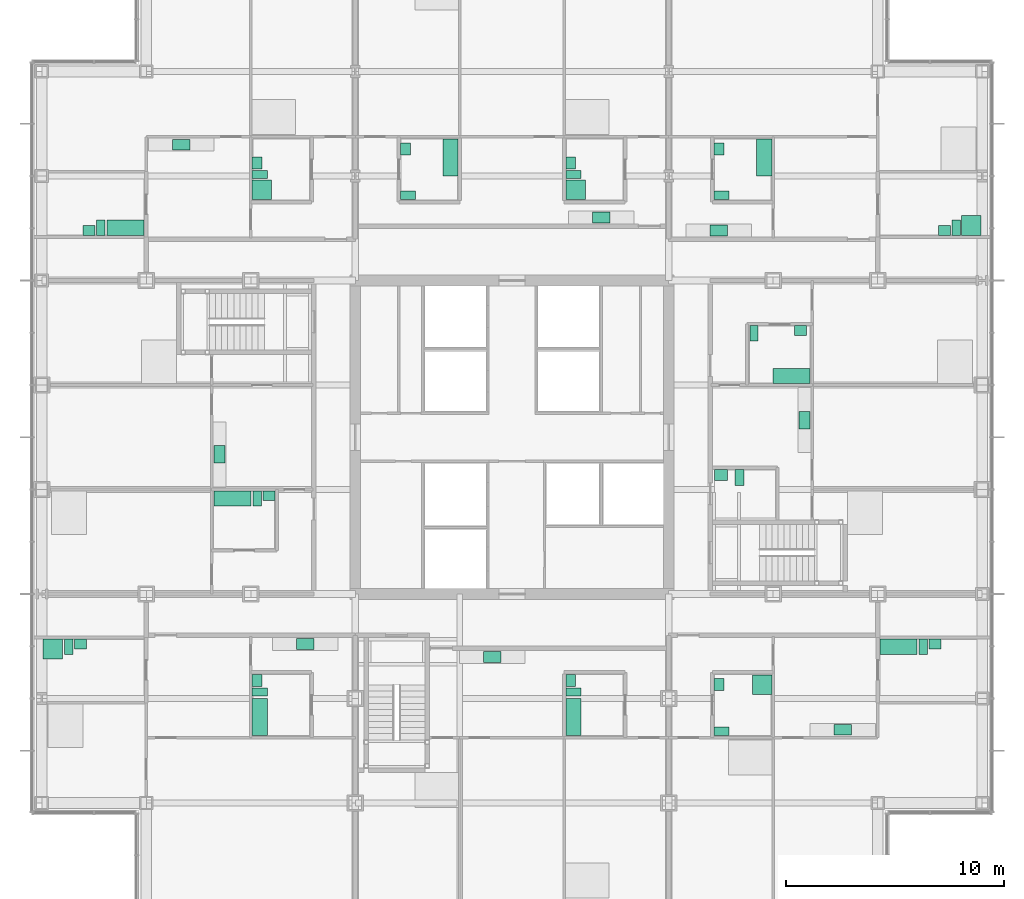
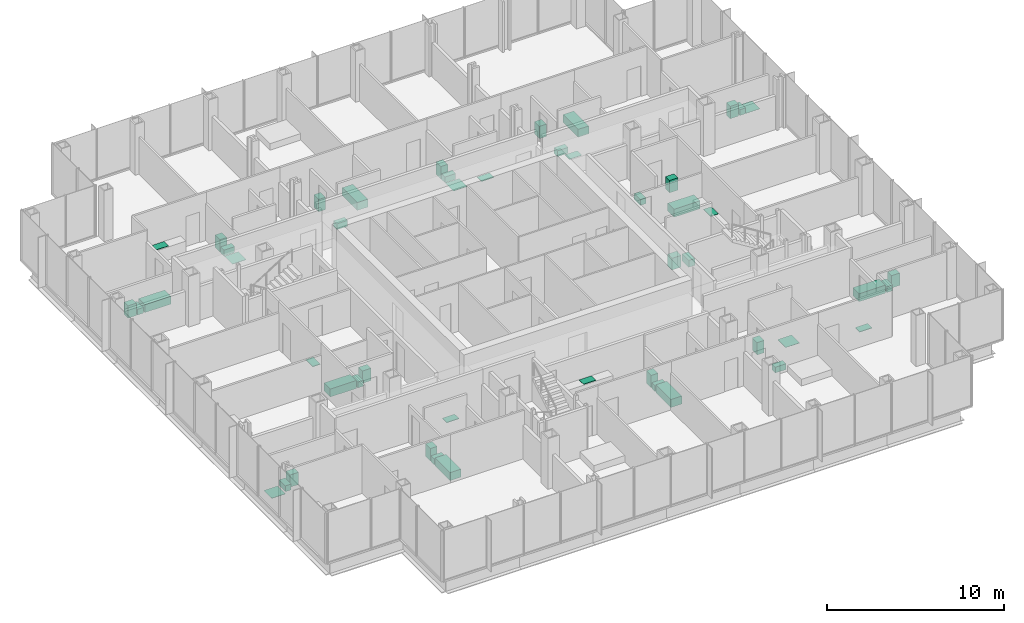
# One storey, part 20 of 21: 49 sanitary terminals.
"""IFC4 building model written with IfcOpenShell, lengths in metres."""

from ifc_helpers import new_model, si_unit, direction, frame, origin, origin_2d, place, context, subcontext, project, spatial, rectangle, extrude, material, type_object, element, save


model = new_model("IFC4")

# Units and contexts
model_context = context("Model", 3, precision=1e-05, world=origin(), true_north=direction((0.0, 1.0)))
body_context = subcontext(model_context, "Body", "Model", "MODEL_VIEW")
ifc_project = project(units=[si_unit("LENGTHUNIT", "METRE"), si_unit("AREAUNIT", "SQUARE_METRE"), si_unit("VOLUMEUNIT", "CUBIC_METRE"), si_unit("PLANEANGLEUNIT", "RADIAN"), si_unit("MASSUNIT", "GRAM", prefix="KILO")], contexts=[model_context])

# Site, building, storey
site_placement = place(None, origin())
site = spatial("IfcSite", under=ifc_project, at=site_placement, CompositionType="ELEMENT")
building_placement = place(site_placement, origin())
building = spatial("IfcBuilding", under=site, at=building_placement, Name="Kvirike Care Tower", CompositionType="ELEMENT")
storey_placement = place(building_placement, frame((0.0, 0.0, 58.5)))
storey = spatial("IfcBuildingStorey", under=building, at=storey_placement, Name="L15", CompositionType="ELEMENT", Elevation=58.5)

# Sanitary terminals
ifc_material_1 = material(Name="Vitreous china", Category="ceramic")
sanitary_terminal_type_1 = type_object("IfcSanitaryTerminalType", Name="ACCESSIBLE WASH BASIN 600 x 500", PredefinedType="WASHHANDBASIN", material=ifc_material_1)
sanitary_terminal_1_placement = place(storey_placement, frame((31.199951171875, 34.27294921875, 0.02001953125), z_axis=(0.0, 0.0, 1.0), x_axis=(1.0, 0.0, 0.0)))
element("IfcSanitaryTerminal", 1, at=sanitary_terminal_1_placement, inside=storey, type_object=sanitary_terminal_type_1, Name="Accessible wash basin L15-050", PredefinedType="WASHHANDBASIN", context=body_context, shape_type="SweptSolid", body=[
    extrude(rectangle(XDim=0.60009765625, YDim=0.5, at=origin_2d()), origin(), (0.0, 0.0, 1.0), 0.800048828125),
])
ifc_material_2 = material(Name="Vitreous china", Category="ceramic")
sanitary_terminal_type_2 = type_object("IfcSanitaryTerminalType", Name="ACCESSIBLE WC PAN 400 x 750", PredefinedType="TOILETPAN", material=ifc_material_2)
sanitary_terminal_2_placement = place(storey_placement, frame((32.050048828125, 34.14794921875, 0.02001953125), z_axis=(0.0, 0.0, 1.0), x_axis=(1.0, 0.0, 0.0)))
element("IfcSanitaryTerminal", 2, at=sanitary_terminal_2_placement, inside=storey, type_object=sanitary_terminal_type_2, Name="Accessible WC pan L15-050", PredefinedType="TOILETPAN", context=body_context, shape_type="SweptSolid", body=[
    extrude(rectangle(XDim=0.39990234375, YDim=0.75, at=origin_2d()), origin(), (0.0, 0.0, 1.0), 0.47998046875),
])
ifc_material_3 = material(Name="Enamelled steel", Category="steel")
sanitary_terminal_type_3 = type_object("IfcSanitaryTerminalType", Name="BATH 1700 x 700", PredefinedType="BATH", material=ifc_material_3)
for number, where, z_axis, x_axis, name in (
    (3, (10.011962890625, 23.159912109375, 0.02001953125), (0.0, 0.0, 1.0), (0.0, 1.0, 0.0), "Bath L15-005"),
    (4, (8.760009765625, 33.18798828125, 0.02001953125), (0.0, 0.0, 1.0), (1.0, 0.0, 0.0), "Bath L15-013"),
    (5, (3.85009765625, 45.626953125, 0.02001953125), (0.0, 0.0, 1.0), (-1.0, 0.0, 0.0), "Bath L15-021"),
    (6, (24.427001953125, 23.159912109375, 0.02001953125), (0.0, 0.0, 1.0), (0.0, 1.0, 0.0), "Bath L15-029"),
    (7, (18.77294921875, 48.840087890625, 0.02001953125), (0.0, 0.0, 1.0), (0.0, -1.0, 0.0), "Bath L15-036"),
    (8, (39.35009765625, 26.373046875, 0.02001953125), (0.0, 0.0, 1.0), (1.0, 0.0, 0.0), "Bath L15-042"),
    (9, (34.43994140625, 38.81201171875, 0.02001953125), (0.0, 0.0, 1.0), (-1.0, 0.0, 0.0), "Bath L15-051"),
    (10, (33.18798828125, 48.840087890625, 0.02001953125), (0.0, 0.0, 1.0), (0.0, -1.0, 0.0), "Bath L15-058"),
):
    element("IfcSanitaryTerminal", number, at=place(storey_placement, frame(where, z_axis=z_axis, x_axis=x_axis)), inside=storey, type_object=sanitary_terminal_type_3, Name=name, PredefinedType="BATH", context=body_context, shape_type="SweptSolid", body=[
        extrude(rectangle(XDim=1.699951171875, YDim=0.699951171875, at=origin_2d()), origin(), (0.0, 0.0, 1.0), 0.550048828125),
    ])
ifc_material_4 = material(Name="Stainless steel", Category="steel")
sanitary_terminal_type_4 = type_object("IfcSanitaryTerminalType", Name="KITCHEN SINK 800 x 500", PredefinedType="SINK", material=ifc_material_4)
for number, where, z_axis, x_axis, name in (
    (11, (12.110107421875, 26.498046875, 0.89990234375), (0.0, 0.0, 1.0), (1.0, 0.0, 0.0), "Kitchen sink L15-007"),
    (12, (8.162109375, 35.2099609375, 0.89990234375), (0.0, 0.0, 1.0), (0.0, 1.0, 0.0), "Kitchen sink L15-015"),
    (13, (6.409912109375, 49.43798828125, 0.89990234375), (0.0, 0.0, 1.0), (1.0, 0.0, 0.0), "Kitchen sink L15-023"),
    (14, (20.699951171875, 25.89794921875, 0.89990234375), (0.0, 0.0, 1.0), (1.0, 0.0, 0.0), "Kitchen sink L15-030"),
    (15, (25.699951171875, 46.10205078125, 0.89990234375), (0.0, 0.0, 1.0), (-1.0, 0.0, 0.0), "Kitchen sink L15-037"),
    (16, (36.7900390625, 22.56201171875, 0.89990234375), (0.0, 0.0, 1.0), (-1.0, 0.0, 0.0), "Kitchen sink L15-044"),
    (17, (35.0380859375, 36.7900390625, 0.89990234375), (0.0, 0.0, 1.0), (0.0, -1.0, 0.0), "Kitchen sink L15-052"),
    (18, (31.090087890625, 45.501953125, 0.89990234375), (0.0, 0.0, 1.0), (-1.0, 0.0, 0.0), "Kitchen sink L15-060"),
):
    element("IfcSanitaryTerminal", number, at=place(storey_placement, frame(where, z_axis=z_axis, x_axis=x_axis)), inside=storey, type_object=sanitary_terminal_type_4, Name=name, PredefinedType="SINK", context=body_context, shape_type="SweptSolid", body=[
        extrude(rectangle(XDim=0.800048828125, YDim=0.5, at=origin_2d()), origin(), (0.0, 0.0, 1.0), 0.030029296875),
    ])
ifc_material_5 = material(Name="Stainless steel", Category="steel")
sanitary_terminal_type_5 = type_object("IfcSanitaryTerminalType", Name="LEVEL-ACCESS SHOWER 900 x 900", PredefinedType="SHOWER", material=ifc_material_5)
for number, where, z_axis, x_axis, name in (
    (19, (0.5, 26.27294921875, 0.02001953125), (0.0, 0.0, 1.0), (1.0, 0.0, 0.0), "Level-access shower L15-004"),
    (20, (10.112060546875, 47.375, 0.02001953125), (0.0, 0.0, 1.0), (0.0, 1.0, 0.0), "Level-access shower L15-020"),
    (21, (24.527099609375, 47.375, 0.02001953125), (0.0, 0.0, 1.0), (0.0, 1.0, 0.0), "Level-access shower L15-035"),
    (22, (33.087890625, 24.625, 0.02001953125), (0.0, 0.0, 1.0), (0.0, -1.0, 0.0), "Level-access shower L15-041"),
    (23, (42.699951171875, 45.72705078125, 0.02001953125), (0.0, 0.0, 1.0), (-1.0, 0.0, 0.0), "Level-access shower L15-057"),
):
    element("IfcSanitaryTerminal", number, at=place(storey_placement, frame(where, z_axis=z_axis, x_axis=x_axis)), inside=storey, type_object=sanitary_terminal_type_5, Name=name, PredefinedType="SHOWER", context=body_context, shape_type="SweptSolid", body=[
        extrude(rectangle(XDim=0.89990234375, YDim=0.89990234375, at=origin_2d()), origin(), (0.0, 0.0, 1.0), 0.02001953125),
    ])
ifc_material_6 = material(Name="Vitreous china", Category="ceramic")
sanitary_terminal_type_6 = type_object("IfcSanitaryTerminalType", Name="WASH BASIN 550 x 450", PredefinedType="WASHHANDBASIN", material=ifc_material_6)
for number, where, z_axis, x_axis, name in (
    (24, (1.77490234375, 26.498046875, 0.02001953125), (0.0, 0.0, 1.0), (1.0, 0.0, 0.0), "Wash basin L15-004"),
    (25, (9.886962890625, 24.8349609375, 0.02001953125), (0.0, 0.0, 1.0), (0.0, 1.0, 0.0), "Wash basin L15-005"),
    (26, (10.43505859375, 33.31298828125, 0.02001953125), (0.0, 0.0, 1.0), (1.0, 0.0, 0.0), "Wash basin L15-013"),
    (27, (9.886962890625, 48.60009765625, 0.02001953125), (0.0, 0.0, 1.0), (0.0, 1.0, 0.0), "Wash basin L15-020"),
    (28, (2.175048828125, 45.501953125, 0.02001953125), (0.0, 0.0, 1.0), (-1.0, 0.0, 0.0), "Wash basin L15-021"),
    (29, (24.302001953125, 24.8349609375, 0.02001953125), (0.0, 0.0, 1.0), (0.0, 1.0, 0.0), "Wash basin L15-029"),
    (30, (24.302001953125, 48.60009765625, 0.02001953125), (0.0, 0.0, 1.0), (0.0, 1.0, 0.0), "Wash basin L15-035"),
    (31, (16.701904296875, 49.25, 0.02001953125), (0.0, 0.0, 1.0), (0.0, 1.0, 0.0), "Wash basin L15-036"),
    (32, (31.10205078125, 24.635009765625, 0.02001953125), (0.0, 0.0, 1.0), (0.0, 1.0, 0.0), "Wash basin L15-041"),
    (33, (41.02490234375, 26.498046875, 0.02001953125), (0.0, 0.0, 1.0), (1.0, 0.0, 0.0), "Wash basin L15-042"),
    (34, (34.85009765625, 40.89794921875, 0.02001953125), (0.0, 0.0, 1.0), (1.0, 0.0, 0.0), "Wash basin L15-051"),
    (35, (41.47509765625, 45.501953125, 0.02001953125), (0.0, 0.0, 1.0), (-1.0, 0.0, 0.0), "Wash basin L15-057"),
    (36, (31.10205078125, 49.25, 0.02001953125), (0.0, 0.0, 1.0), (0.0, 1.0, 0.0), "Wash basin L15-058"),
):
    element("IfcSanitaryTerminal", number, at=place(storey_placement, frame(where, z_axis=z_axis, x_axis=x_axis)), inside=storey, type_object=sanitary_terminal_type_6, Name=name, PredefinedType="WASHHANDBASIN", context=body_context, shape_type="SweptSolid", body=[
        extrude(rectangle(XDim=0.550048828125, YDim=0.449951171875, at=origin_2d()), origin(), (0.0, 0.0, 1.0), 0.85009765625),
    ])
ifc_material_7 = material(Name="Vitreous china", Category="ceramic")
sanitary_terminal_type_7 = type_object("IfcSanitaryTerminalType", Name="WC PAN 380 x 700", PredefinedType="TOILETPAN", material=ifc_material_7)
for number, where, z_axis, x_axis, name in (
    (37, (1.239990234375, 26.373046875, 0.02001953125), (0.0, 0.0, 1.0), (1.0, 0.0, 0.0), "WC pan L15-004"),
    (38, (10.011962890625, 24.300048828125, 0.02001953125), (0.0, 0.0, 1.0), (0.0, 1.0, 0.0), "WC pan L15-005"),
    (39, (9.89990234375, 33.18798828125, 0.02001953125), (0.0, 0.0, 1.0), (1.0, 0.0, 0.0), "WC pan L15-013"),
    (40, (10.011962890625, 48.06494140625, 0.02001953125), (0.0, 0.0, 1.0), (0.0, 1.0, 0.0), "WC pan L15-020"),
    (41, (2.7099609375, 45.626953125, 0.02001953125), (0.0, 0.0, 1.0), (-1.0, 0.0, 0.0), "WC pan L15-021"),
    (42, (24.427001953125, 24.300048828125, 0.02001953125), (0.0, 0.0, 1.0), (0.0, 1.0, 0.0), "WC pan L15-029"),
    (43, (24.427001953125, 48.06494140625, 0.02001953125), (0.0, 0.0, 1.0), (0.0, 1.0, 0.0), "WC pan L15-035"),
    (44, (16.826904296875, 47.114990234375, 0.02001953125), (0.0, 0.0, 1.0), (0.0, 1.0, 0.0), "WC pan L15-036"),
    (45, (31.22705078125, 22.5, 0.02001953125), (0.0, 0.0, 1.0), (0.0, 1.0, 0.0), "WC pan L15-041"),
    (46, (40.489990234375, 26.373046875, 0.02001953125), (0.0, 0.0, 1.0), (1.0, 0.0, 0.0), "WC pan L15-042"),
    (47, (32.715087890625, 40.77294921875, 0.02001953125), (0.0, 0.0, 1.0), (1.0, 0.0, 0.0), "WC pan L15-051"),
    (48, (42.010009765625, 45.626953125, 0.02001953125), (0.0, 0.0, 1.0), (-1.0, 0.0, 0.0), "WC pan L15-057"),
    (49, (31.22705078125, 47.114990234375, 0.02001953125), (0.0, 0.0, 1.0), (0.0, 1.0, 0.0), "WC pan L15-058"),
):
    element("IfcSanitaryTerminal", number, at=place(storey_placement, frame(where, z_axis=z_axis, x_axis=x_axis)), inside=storey, type_object=sanitary_terminal_type_7, Name=name, PredefinedType="TOILETPAN", context=body_context, shape_type="SweptSolid", body=[
        extrude(rectangle(XDim=0.3798828125, YDim=0.699951171875, at=origin_2d()), origin(), (0.0, 0.0, 1.0), 0.39990234375),
    ])

save(model, "model.ifc")
